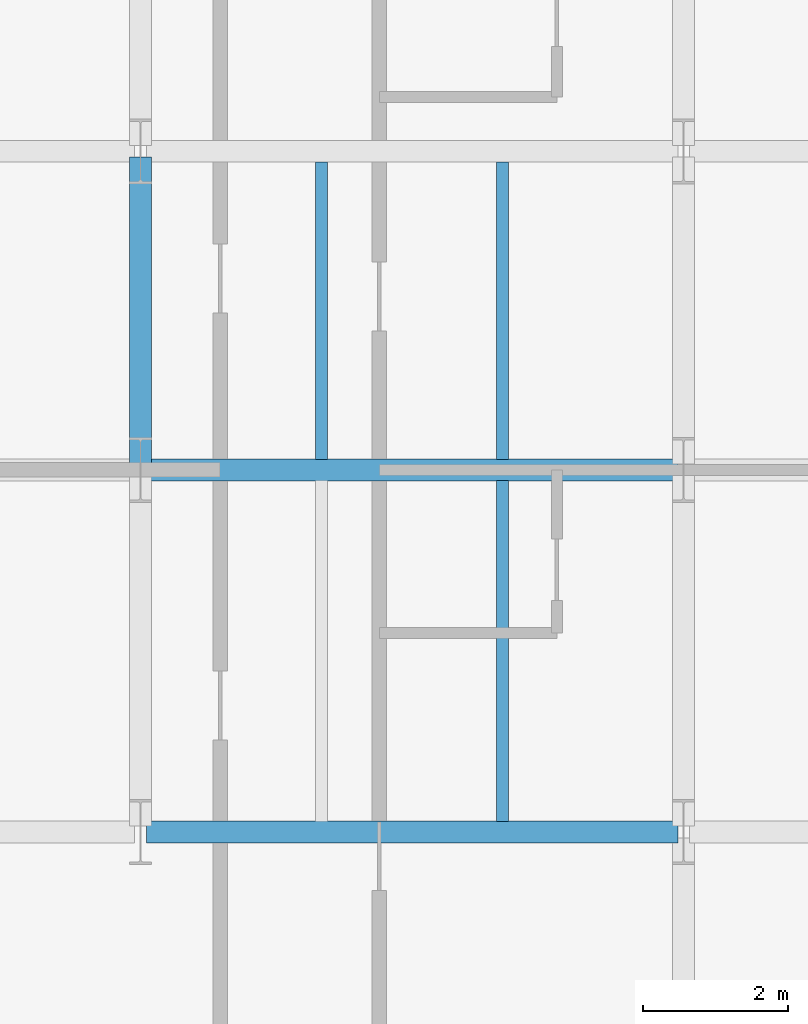
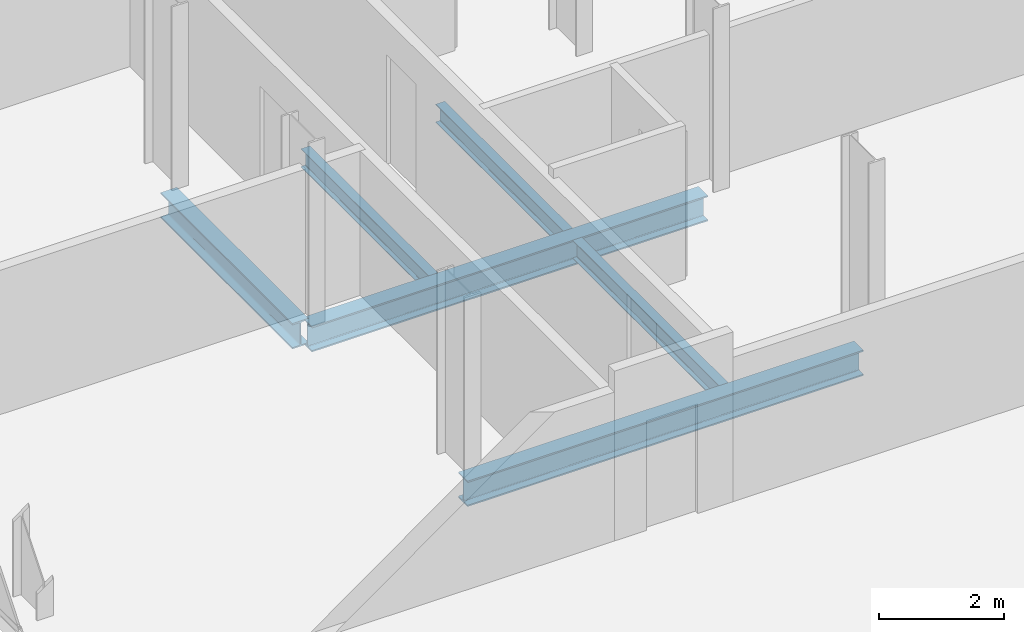
# One storey, part 6 of 32: 6 beams.
"""IFC4 building model written with IfcOpenShell, lengths in metres."""

from ifc_helpers import new_model, si_unit, direction, frame, origin, origin_2d, place, context, subcontext, project, spatial, i_section, extrude, material, material_profile, profile_set, type_object, element, save


model = new_model("IFC4")

# Units and contexts
model_context = context("Model", 3, precision=1e-05, world=origin(), true_north=direction((0.0, 1.0)))
body_context = subcontext(model_context, "Body", "Model", "MODEL_VIEW")
ifc_project = project(units=[si_unit("LENGTHUNIT", "METRE"), si_unit("AREAUNIT", "SQUARE_METRE"), si_unit("VOLUMEUNIT", "CUBIC_METRE"), si_unit("PLANEANGLEUNIT", "RADIAN"), si_unit("MASSUNIT", "GRAM", prefix="KILO")], contexts=[model_context])

# Site, building, storey
site_placement = place(None, origin())
site = spatial("IfcSite", under=ifc_project, at=site_placement, CompositionType="ELEMENT")
building_placement = place(site_placement, origin())
building = spatial("IfcBuilding", under=site, at=building_placement, Name="Catumbela Crestline Tower", CompositionType="ELEMENT")
storey_placement = place(building_placement, frame((0.0, 0.0, 65.4)))
storey = spatial("IfcBuildingStorey", under=building, at=storey_placement, Name="L16", CompositionType="ELEMENT", Elevation=65.4)

# Beams
ifc_material = material(Name="Structural steel S355J2", Category="steel")
ifc_material_profile_1 = material_profile(ifc_material, i_section(OverallWidth=0.3, OverallDepth=0.5, WebThickness=0.0145, FlangeThickness=0.028, FilletRadius=0.027, at=origin_2d()), Name="HEB 500")
ifc_profile_set_1 = profile_set([ifc_material_profile_1], Name="Structural steel S355J2")
beam_type_1 = type_object("IfcBeamType", Name="BG-HEB500", PredefinedType="BEAM", material=ifc_profile_set_1)
for number, where, z_axis, x_axis, name in (
    (1, (8.58, 8.6, -0.51), (1.0, 0.0, 0.0), (0.0, 1.0, 0.0), "L16 Beam BM-L16-WEW49"),
    (2, (8.58, 13.6, -0.51), (1.0, 0.0, 0.0), (0.0, 1.0, 0.0), "L16 Beam BM-L16-WEW52"),
):
    element("IfcBeam", number, at=place(storey_placement, frame(where, z_axis=z_axis, x_axis=x_axis)), inside=storey, type_object=beam_type_1, Name=name, PredefinedType="BEAM", context=body_context, shape_type="SweptSolid", body=[
        extrude(i_section(OverallWidth=0.3, OverallDepth=0.5, WebThickness=0.0145, FlangeThickness=0.028, FilletRadius=0.027, at=origin_2d()), origin(), (0.0, 0.0, 1.0), 7.34),
    ])
beam_1_placement = place(storey_placement, frame((8.5, 13.68, -0.51), z_axis=(0.0, 1.0, 0.0), x_axis=(-1.0, 0.0, 0.0)))
element("IfcBeam", 3, at=beam_1_placement, inside=storey, type_object=beam_type_1, Name="L16 Beam BM-L16-WNS62", PredefinedType="BEAM", context=body_context, shape_type="SweptSolid", body=[
    extrude(i_section(OverallWidth=0.3, OverallDepth=0.5, WebThickness=0.0145, FlangeThickness=0.028, FilletRadius=0.027, at=origin_2d()), origin(), (0.0, 0.0, 1.0), 4.24),
])
ifc_material_profile_2 = material_profile(ifc_material, i_section(OverallWidth=0.17, OverallDepth=0.36, WebThickness=0.008, FlangeThickness=0.0127, FilletRadius=0.018, at=origin_2d()), Name="IPE 360")
ifc_profile_set_2 = profile_set([ifc_material_profile_2], Name="Structural steel S355J2")
beam_type_2 = type_object("IfcBeamType", Name="BJ-IPE360", PredefinedType="JOIST", material=ifc_profile_set_2)
beam_2_placement = place(storey_placement, frame((13.5, 8.747, -0.44), z_axis=(0.0, 1.0, 0.0), x_axis=(-1.0, 0.0, 0.0)))
element("IfcBeam", 4, at=beam_2_placement, inside=storey, type_object=beam_type_2, Name="L16 Joist JS-L16-WG73", PredefinedType="JOIST", context=body_context, shape_type="SweptSolid", body=[
    extrude(i_section(OverallWidth=0.17, OverallDepth=0.36, WebThickness=0.008, FlangeThickness=0.0127, FilletRadius=0.018, at=origin_2d()), origin(), (0.0, 0.0, 1.0), 4.706),
])
for number, where, z_axis, x_axis, name in (
    (5, (11.0, 13.747, -0.44), (0.0, 1.0, 0.0), (-1.0, 0.0, 0.0), "L16 Joist JS-L16-WG78"),
    (6, (13.5, 13.747, -0.44), (0.0, 1.0, 0.0), (-1.0, 0.0, 0.0), "L16 Joist JS-L16-WG79"),
):
    element("IfcBeam", number, at=place(storey_placement, frame(where, z_axis=z_axis, x_axis=x_axis)), inside=storey, type_object=beam_type_2, Name=name, PredefinedType="JOIST", context=body_context, shape_type="SweptSolid", body=[
        extrude(i_section(OverallWidth=0.17, OverallDepth=0.36, WebThickness=0.008, FlangeThickness=0.0127, FilletRadius=0.018, at=origin_2d()), origin(), (0.0, 0.0, 1.0), 4.106),
    ])

save(model, "model.ifc")
